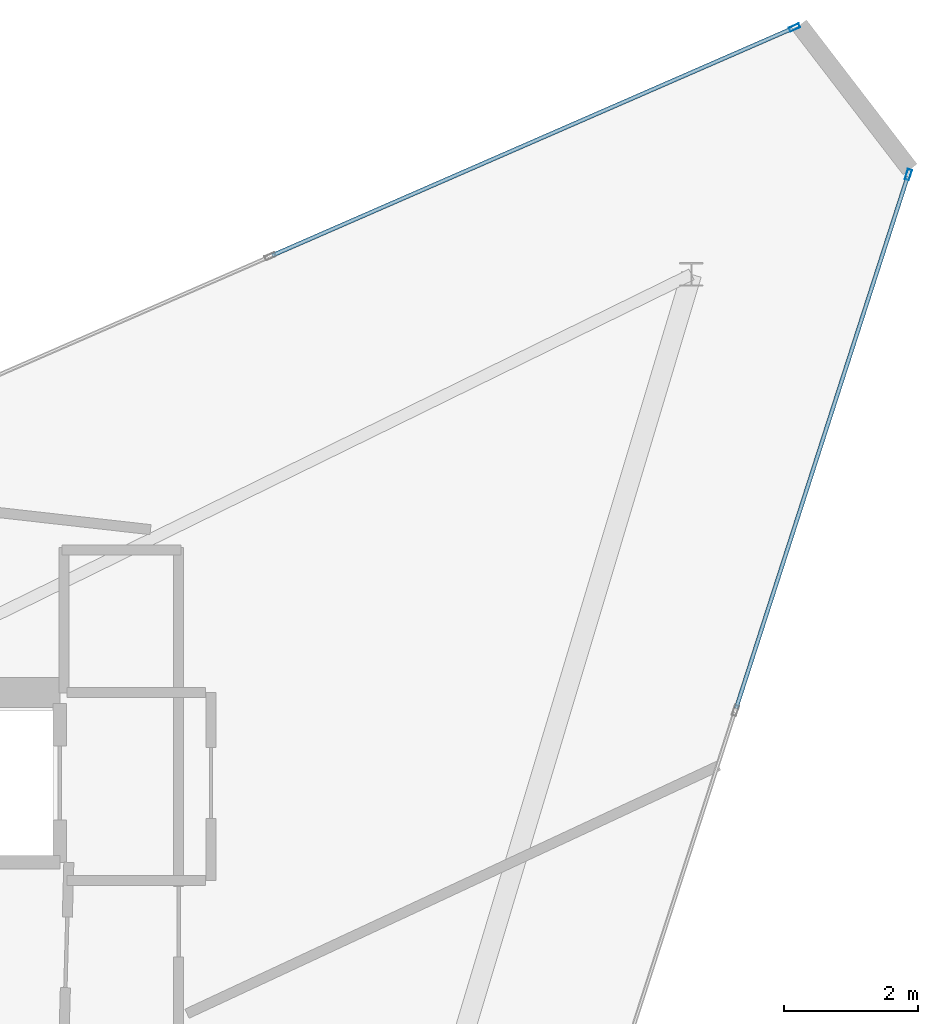
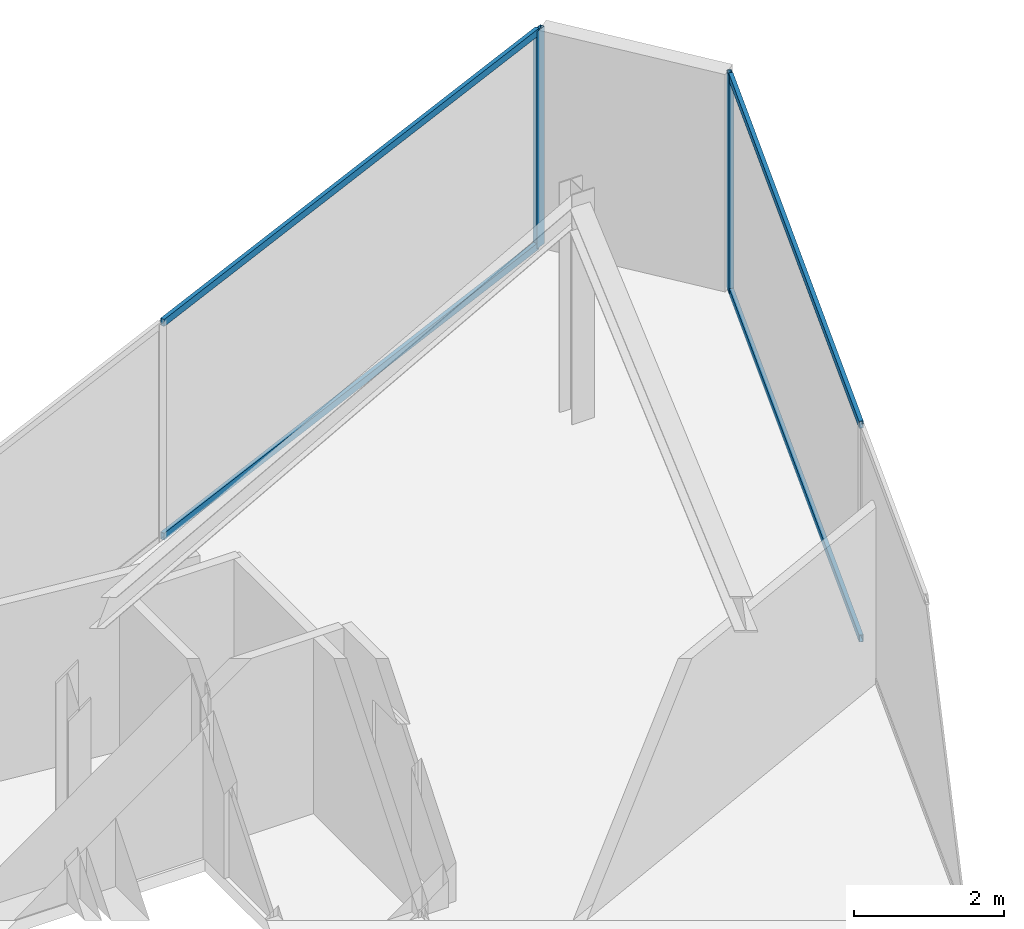
# One storey, part 12 of 15: 6 members, 2 elements without a shape of their own.
"""IFC4 building model written with IfcOpenShell, lengths in metres."""

from ifc_helpers import new_model, si_unit, direction, frame, origin, origin_2d, place, context, subcontext, project, spatial, hollow_rectangle, extrude, material, layer, layer_set, material_profile, profile_set, type_object, element, aggregate, save


model = new_model("IFC4")

# Units and contexts
model_context = context("Model", 3, precision=1e-05, world=origin(), true_north=direction((0.0, 1.0)))
body_context = subcontext(model_context, "Body", "Model", "MODEL_VIEW")
ifc_project = project(units=[si_unit("LENGTHUNIT", "METRE"), si_unit("AREAUNIT", "SQUARE_METRE"), si_unit("VOLUMEUNIT", "CUBIC_METRE"), si_unit("PLANEANGLEUNIT", "RADIAN"), si_unit("MASSUNIT", "GRAM", prefix="KILO")], contexts=[model_context])

# Site, building, storey
site_placement = place(None, origin())
site = spatial("IfcSite", under=ifc_project, at=site_placement, CompositionType="ELEMENT")
building_placement = place(site_placement, origin())
building = spatial("IfcBuilding", under=site, at=building_placement, Name="Qianvela Tower", CompositionType="ELEMENT")
storey_placement = place(building_placement, frame((0.0, 0.0, 360.050048828125)))
storey = spatial("IfcBuildingStorey", under=building, at=storey_placement, Name="L93", CompositionType="ELEMENT", Elevation=360.050048828125)

# Curtain wall, member
ifc_material_1 = material(Name="Anodised Architectural Aluminium and Low-E Glass", Category="aluminium")
ifc_layer = layer(ifc_material_1, 0.159912109375)
ifc_layer_set = layer_set([ifc_layer], Name="Anodised Architectural Aluminium and Low-E Glass")
curtain_wall_type = type_object("IfcCurtainWallType", Name="CW-CROWN", PredefinedType="USERDEFINED", material=ifc_layer_set)
curtain_wall_1_placement = place(storey_placement, origin())
curtain_wall_1 = element("IfcCurtainWall", 1, at=curtain_wall_1_placement, inside=storey, type_object=curtain_wall_type, Name="L93 CW-CROWN Curtain Wall 02", ObjectType="CURTAIN_WALL_SYSTEM", PredefinedType="USERDEFINED")
ifc_material_2 = material(Name="Anodised Architectural Aluminium 6063-T6", Category="aluminium")
ifc_material_profile_1 = material_profile(ifc_material_2, hollow_rectangle(XDim=0.06494140625, YDim=0.159912109375, WallThickness=0.0048828125, at=origin_2d()), Name="ALU-MULL-65x160")
ifc_profile_set_1 = profile_set([ifc_material_profile_1], Name="Anodised Architectural Aluminium 6063-T6")
member_type_1 = type_object("IfcMemberType", Name="CW-CROWN-MULL", PredefinedType="MULLION", material=ifc_profile_set_1)
member_1_placement = place(storey_placement, frame((50.78076171875, 42.539306640625, 0.0), z_axis=(0.0, 0.0, 1.0), x_axis=(0.399914599103, -0.916552406262, 0.0)))
member_1 = element("IfcMember", 2, at=member_1_placement, type_object=member_type_1, Name="CW-8 mullion 1", PredefinedType="MULLION", context=body_context, shape_type="SweptSolid", body=[
    extrude(hollow_rectangle(XDim=0.06494140625, YDim=0.159912109375, WallThickness=0.0048828125, at=origin_2d()), origin(), (0.0, 0.0, 1.0), 3.550048828125),
])

curtain_wall_2_placement = place(storey_placement, origin())
curtain_wall_2 = element("IfcCurtainWall", 3, at=curtain_wall_2_placement, inside=storey, type_object=curtain_wall_type, Name="L93 CW-CROWN Curtain Wall 06", ObjectType="CURTAIN_WALL_SYSTEM", PredefinedType="USERDEFINED")
member_2_placement = place(storey_placement, frame((52.47509765625, 40.35107421875, 0.0), z_axis=(0.0, 0.0, 1.0), x_axis=(-0.951691135027, 0.307056971117, 0.0)))
member_2 = element("IfcMember", 4, at=member_2_placement, type_object=member_type_1, Name="CW-8 mullion 5", PredefinedType="MULLION", context=body_context, shape_type="SweptSolid", body=[
    extrude(hollow_rectangle(XDim=0.06494140625, YDim=0.159912109375, WallThickness=0.0048828125, at=origin_2d()), origin(), (0.0, 0.0, 1.0), 3.550048828125),
])

# Member
ifc_material_3 = material(Name="Anodised Architectural Aluminium 6063-T6", Category="aluminium")
ifc_material_profile_2 = material_profile(ifc_material_3, hollow_rectangle(XDim=0.06005859375, YDim=0.114990234375, WallThickness=0.00390625, at=origin_2d()), Name="ALU-TRAN-60x115")
ifc_profile_set_2 = profile_set([ifc_material_profile_2], Name="Anodised Architectural Aluminium 6063-T6")
member_type_2 = type_object("IfcMemberType", Name="CW-CROWN-TRAN", PredefinedType="USERDEFINED", material=ifc_profile_set_2)
member_3_placement = place(storey_placement, frame((50.7509765625, 42.526123046875, 0.030029296875), z_axis=(-0.916553635054, -0.399911782859, 0.0), x_axis=(0.399911782859, -0.916553635054, 0.0)))
member_3 = element("IfcMember", 5, at=member_3_placement, type_object=member_type_2, Name="CW-8 transom 1.1", ObjectType="TRANSOM", PredefinedType="USERDEFINED", context=body_context, shape_type="SweptSolid", body=[
    extrude(hollow_rectangle(XDim=0.06005859375, YDim=0.114990234375, WallThickness=0.00390625, at=origin_2d()), origin(), (0.0, 0.0, 1.0), 8.445556640625),
])

member_4_placement = place(storey_placement, frame((50.7509765625, 42.526123046875, 3.52001953125), z_axis=(-0.916553635054, -0.399911782859, 0.0), x_axis=(0.399911782859, -0.916553635054, 0.0)))
member_4 = element("IfcMember", 6, at=member_4_placement, type_object=member_type_2, Name="CW-8 transom 1.2", ObjectType="TRANSOM", PredefinedType="USERDEFINED", context=body_context, shape_type="SweptSolid", body=[
    extrude(hollow_rectangle(XDim=0.06005859375, YDim=0.114990234375, WallThickness=0.00390625, at=origin_2d()), origin(), (0.0, 0.0, 1.0), 8.445556640625),
])

aggregate(curtain_wall_1, [member_1, member_3, member_4])

member_5_placement = place(storey_placement, frame((49.912353515625, 32.408447265625, 0.030029296875), z_axis=(0.307059409447, 0.951690348312, 0.0), x_axis=(-0.951690348312, 0.307059409447, 0.0)))
member_5 = element("IfcMember", 7, at=member_5_placement, type_object=member_type_2, Name="CW-8 transom 4.1", ObjectType="TRANSOM", PredefinedType="USERDEFINED", context=body_context, shape_type="SweptSolid", body=[
    extrude(hollow_rectangle(XDim=0.06005859375, YDim=0.114990234375, WallThickness=0.00390625, at=origin_2d()), origin(), (0.0, 0.0, 1.0), 8.3134765625),
])

member_6_placement = place(storey_placement, frame((49.912353515625, 32.408447265625, 3.52001953125), z_axis=(0.307059409447, 0.951690348312, 0.0), x_axis=(-0.951690348312, 0.307059409447, 0.0)))
member_6 = element("IfcMember", 8, at=member_6_placement, type_object=member_type_2, Name="CW-8 transom 4.2", ObjectType="TRANSOM", PredefinedType="USERDEFINED", context=body_context, shape_type="SweptSolid", body=[
    extrude(hollow_rectangle(XDim=0.06005859375, YDim=0.114990234375, WallThickness=0.00390625, at=origin_2d()), origin(), (0.0, 0.0, 1.0), 8.3134765625),
])

aggregate(curtain_wall_2, [member_2, member_5, member_6])

save(model, "model.ifc")
